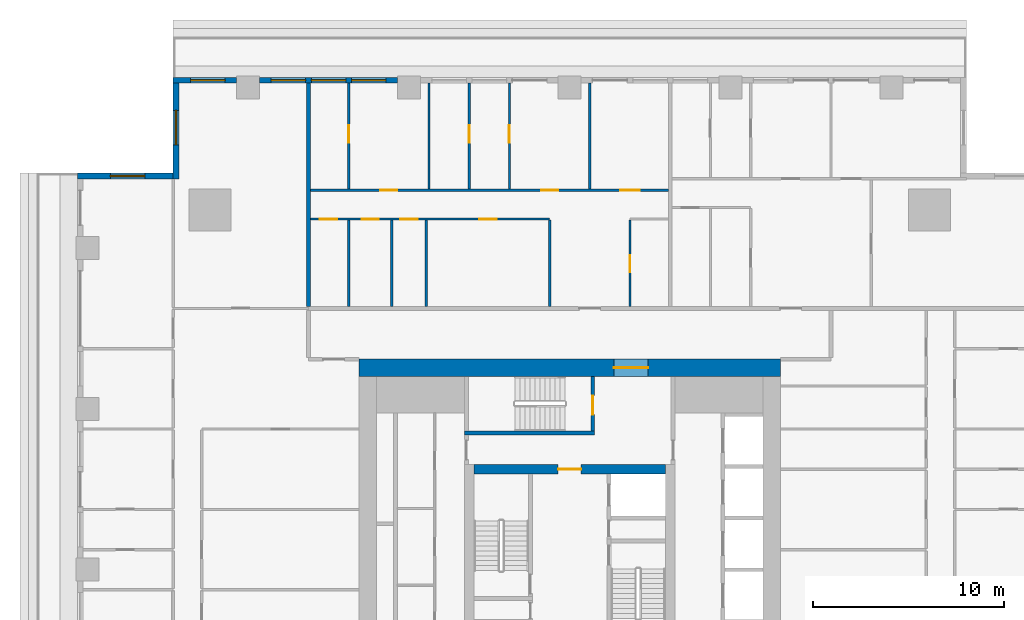
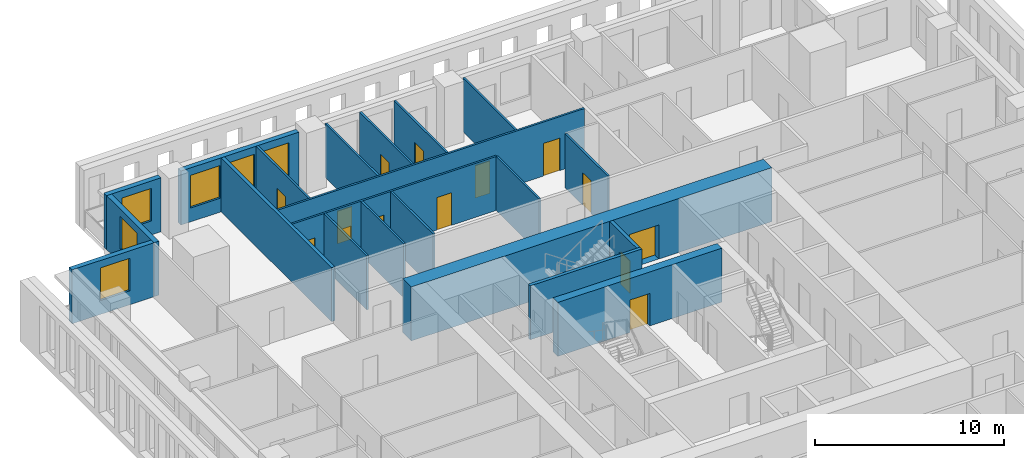
# One storey, part 7 of 15: 21 walls, 14 doors, 6 windows, 20 openings.
"""IFC4 building model written with IfcOpenShell, lengths in metres."""

from ifc_helpers import new_model, si_unit, direction, frame, frame_2d, origin, place, context, subcontext, project, spatial, rectangle, extrude, material, layer, layer_set, type_object, element, fill, save


model = new_model("IFC4")

# Units and contexts
model_context = context("Model", 3, precision=1e-05, world=origin(), true_north=direction((0.0, 1.0)))
body_context = subcontext(model_context, "Body", "Model", "MODEL_VIEW")
ifc_project = project(units=[si_unit("LENGTHUNIT", "METRE"), si_unit("AREAUNIT", "SQUARE_METRE"), si_unit("VOLUMEUNIT", "CUBIC_METRE"), si_unit("PLANEANGLEUNIT", "RADIAN"), si_unit("MASSUNIT", "GRAM", prefix="KILO")], contexts=[model_context])

# Site, building, storey
site_placement = place(None, origin())
site = spatial("IfcSite", under=ifc_project, at=site_placement, CompositionType="ELEMENT")
building_placement = place(site_placement, origin())
building = spatial("IfcBuilding", under=site, at=building_placement, Name="Khepri Terraces", CompositionType="ELEMENT")
storey_placement = place(building_placement, frame((0.0, 0.0, 256.199951171875)))
storey = spatial("IfcBuildingStorey", under=building, at=storey_placement, Name="L61", CompositionType="ELEMENT", Elevation=256.199951171875)

# Wall
ifc_material_1 = material(Name="Concrete C40/50", Category="concrete")
ifc_layer_1 = layer(ifc_material_1, 0.199951171875, Name="Concrete C40/50", Category="concrete")
ifc_layer_set_1 = layer_set([ifc_layer_1], Name="Concrete C40/50")
wall_type_1 = type_object("IfcWallType", Name="Core wall 200 C40/50", PredefinedType="SHEAR", material=ifc_layer_set_1)
wall_1_placement = place(storey_placement, frame((-5.5, 7.14990234375, 0.0), z_axis=(0.0, 0.0, 1.0), x_axis=(1.0, 0.0, 0.0)))
element("IfcWall", 1, at=wall_1_placement, inside=storey, type_object=wall_type_1, Name="Core wall ST05 L61", PredefinedType="SHEAR", context=body_context, shape_type="SweptSolid", body=[
    extrude(rectangle(XDim=6.800048828125, YDim=0.199951171875, at=frame_2d((3.39990234375, 0.0))), origin(), (0.0, 0.0, 1.0), 3.47998046875),
])

# Wall, opening, door
wall_2_placement = place(storey_placement, frame((1.199951171875, 7.25, 0.0), z_axis=(0.0, 0.0, 1.0), x_axis=(0.0, 1.0, 0.0)))
wall_2 = element("IfcWall", 2, at=wall_2_placement, inside=storey, type_object=wall_type_1, Name="Core wall ST07 L61", PredefinedType="SHEAR", context=body_context, shape_type="SweptSolid", body=[
    extrude(rectangle(XDim=2.85009765625, YDim=0.199951171875, at=frame_2d((1.425048828125, 0.0))), origin(), (0.0, 0.0, 1.0), 3.47998046875),
])
opening_1_placement = place(wall_2_placement, frame((0.85009765625, 0.0, 0.0)))
opening_1 = element("IfcOpeningElement", 3, at=opening_1_placement, cuts=wall_2, Name="Opening L61-C15", PredefinedType="OPENING", context=body_context, shape_type="SweptSolid", body=[
    extrude(rectangle(XDim=1.0, YDim=2.10009765625, at=frame_2d((0.5, 1.050048828125))), frame((0.0, 0.10986328125, 0.0), z_axis=(0.0, -1.0, 0.0), x_axis=(1.0, 0.0, 0.0)), (0.0, 0.0, 1.0), 0.219970703125),
])
ifc_material_2 = material(Name="Painted steel", Category="steel")
door_type_1 = type_object("IfcDoorType", Name="DR-CORE-STAIR-1000", OperationType="NOTDEFINED", PredefinedType="DOOR", material=ifc_material_2)
door_1_placement = place(opening_1_placement, origin())
door_1 = element("IfcDoor", 4, at=door_1_placement, inside=storey, type_object=door_type_1, Name="Stair door L61-C15", OperationType="SINGLE_SWING_LEFT", OverallHeight=2.10009765625, OverallWidth=1.0, PredefinedType="DOOR", context=body_context, shape_type="SweptSolid", body=[
    extrude(rectangle(XDim=1.0, YDim=2.10009765625, at=frame_2d((0.5, 1.050048828125))), frame((0.0, 0.02490234375, 0.0), z_axis=(0.0, -1.0, 0.0), x_axis=(1.0, 0.0, 0.0)), (0.0, 0.0, 1.0), 0.050048828125),
])
fill(opening_1, door_1)

ifc_layer_2 = layer(ifc_material_1, 0.5, Name="Concrete C40/50", Category="concrete")
ifc_layer_set_2 = layer_set([ifc_layer_2], Name="Concrete C40/50")
wall_type_2 = type_object("IfcWallType", Name="Core wall 500 C40/50", PredefinedType="SHEAR", material=ifc_layer_set_2)
wall_3_placement = place(storey_placement, frame((-5.0, 5.25, 0.0), z_axis=(0.0, 0.0, 1.0), x_axis=(1.0, 0.0, 0.0)))
wall_3 = element("IfcWall", 5, at=wall_3_placement, inside=storey, type_object=wall_type_2, Name="Core wall BX04 L61", PredefinedType="SHEAR", context=body_context, shape_type="SweptSolid", body=[
    extrude(rectangle(XDim=10.0, YDim=0.5, at=frame_2d((5.0, 0.0))), origin(), (0.0, 0.0, 1.0), 3.47998046875),
])
opening_2_placement = place(wall_3_placement, frame((4.39990234375, 0.0, 0.0)))
opening_2 = element("IfcOpeningElement", 6, at=opening_2_placement, cuts=wall_3, Name="Opening L61-C13", PredefinedType="OPENING", context=body_context, shape_type="SweptSolid", body=[
    extrude(rectangle(XDim=1.199951171875, YDim=2.10009765625, at=frame_2d((0.60009765625, 1.050048828125))), frame((0.0, 0.260009765625, 0.0), z_axis=(0.0, -1.0, 0.0), x_axis=(1.0, 0.0, 0.0)), (0.0, 0.0, 1.0), 0.52001953125),
])
door_type_2 = type_object("IfcDoorType", Name="DR-CORE-FF-LOBBY-1200", OperationType="NOTDEFINED", PredefinedType="DOOR", material=ifc_material_2)
door_2_placement = place(opening_2_placement, frame((1.199951171875, 0.0, 0.0), z_axis=(0.0, 0.0, 1.0), x_axis=(-1.0, 0.0, 0.0)))
door_2 = element("IfcDoor", 7, at=door_2_placement, inside=storey, type_object=door_type_2, Name="Firefighting lobby door L61-C13", OperationType="SINGLE_SWING_LEFT", OverallHeight=2.10009765625, OverallWidth=1.199951171875, PredefinedType="DOOR", context=body_context, shape_type="SweptSolid", body=[
    extrude(rectangle(XDim=1.199951171875, YDim=2.10009765625, at=frame_2d((0.60009765625, 1.050048828125))), frame((0.0, 0.02490234375, 0.0), z_axis=(0.0, -1.0, 0.0), x_axis=(1.0, 0.0, 0.0)), (0.0, 0.0, 1.0), 0.050048828125),
])
fill(opening_2, door_2)

ifc_layer_3 = layer(ifc_material_1, 0.89990234375, Name="Concrete C40/50", Category="concrete")
ifc_layer_set_3 = layer_set([ifc_layer_3], Name="Concrete C40/50")
wall_type_3 = type_object("IfcWallType", Name="Core wall 900 C40/50", PredefinedType="SHEAR", material=ifc_layer_set_3)
wall_4_placement = place(storey_placement, frame((-11.0, 10.550048828125, 0.0), z_axis=(0.0, 0.0, 1.0), x_axis=(1.0, 0.0, 0.0)))
wall_4 = element("IfcWall", 8, at=wall_4_placement, inside=storey, type_object=wall_type_3, Name="Core wall OW-N L61", PredefinedType="SHEAR", context=body_context, shape_type="SweptSolid", body=[
    extrude(rectangle(XDim=22.0, YDim=0.89990234375, at=frame_2d((11.0, 0.0))), origin(), (0.0, 0.0, 1.0), 3.47998046875),
])
opening_3_placement = place(wall_4_placement, frame((13.300048828125, 0.0, 0.0)))
opening_3 = element("IfcOpeningElement", 9, at=opening_3_placement, cuts=wall_4, Name="Opening L61-C20", PredefinedType="OPENING", context=body_context, shape_type="SweptSolid", body=[
    extrude(rectangle(XDim=1.800048828125, YDim=2.199951171875, at=frame_2d((0.89990234375, 1.10009765625))), frame((0.0, 0.4599609375, 0.0), z_axis=(0.0, -1.0, 0.0), x_axis=(1.0, 0.0, 0.0)), (0.0, 0.0, 1.0), 0.919921875),
])
door_type_3 = type_object("IfcDoorType", Name="DR-CORE-ENTRANCE-1800", OperationType="NOTDEFINED", PredefinedType="DOOR", material=ifc_material_2)
door_3_placement = place(opening_3_placement, origin())
door_3 = element("IfcDoor", 10, at=door_3_placement, inside=storey, type_object=door_type_3, Name="Core entrance door pair L61-C20", OperationType="DOUBLE_DOOR_SINGLE_SWING", OverallHeight=2.199951171875, OverallWidth=1.800048828125, PredefinedType="DOOR", context=body_context, shape_type="SweptSolid", body=[
    extrude(rectangle(XDim=1.800048828125, YDim=2.199951171875, at=frame_2d((0.89990234375, 1.10009765625))), frame((0.0, 0.02490234375, 0.0), z_axis=(0.0, -1.0, 0.0), x_axis=(1.0, 0.0, 0.0)), (0.0, 0.0, 1.0), 0.050048828125),
])
fill(opening_3, door_3)

# Wall
ifc_material_3 = material(Name="Fire-rated gypsum plasterboard partition, mineral wool")
ifc_layer_4 = layer(ifc_material_3, 0.199951171875, Name="Fire-rated gypsum plasterboard partition, mineral wool")
ifc_layer_set_4 = layer_set([ifc_layer_4], Name="Fire-rated gypsum plasterboard partition, mineral wool")
wall_type_4 = type_object("IfcWallType", Name="WL-CORR-200", PredefinedType="PARTITIONING", material=ifc_layer_set_4)
wall_5_placement = place(storey_placement, frame((-13.64990234375, 13.75, 0.0), z_axis=(0.0, 0.0, 1.0), x_axis=(0.0, 1.0, 0.0)))
element("IfcWall", 11, at=wall_5_placement, inside=storey, type_object=wall_type_4, Name="Partition P-082 L61", PredefinedType="PARTITIONING", context=body_context, shape_type="SweptSolid", body=[
    extrude(rectangle(XDim=11.669921875, YDim=0.199951171875, at=frame_2d((5.8349609375, 0.0))), origin(), (0.0, 0.0, 1.0), 3.47998046875),
])

# Wall, openings, windows
ifc_material_4 = material(Name="Precast concrete C50/60 warm stone", Category="masonry")
ifc_layer_5 = layer(ifc_material_4, 0.300048828125, Name="Precast concrete C50/60 warm stone", Category="masonry")
ifc_layer_set_5 = layer_set([ifc_layer_5], Name="Precast concrete C50/60 warm stone")
wall_type_5 = type_object("IfcWallType", Name="WL-EXT-PRECAST-300", PredefinedType="STANDARD", material=ifc_layer_set_5)
wall_6_placement = place(storey_placement, frame((-9.0, 25.570068359375, 0.0), z_axis=(0.0, 0.0, 1.0), x_axis=(-1.0, 0.0, 0.0)))
wall_6 = element("IfcWall", 12, at=wall_6_placement, inside=storey, type_object=wall_type_5, Name="External wall L61 N", PredefinedType="STANDARD", context=body_context, shape_type="SweptSolid", body=[
    extrude(rectangle(XDim=7.199951171875, YDim=0.300048828125, at=frame_2d((3.60009765625, 0.0))), origin(), (0.0, 0.0, 1.0), 3.47998046875),
])
opening_4_placement = place(wall_6_placement, frame((0.60009765625, 0.0, 0.89990234375)))
opening_4 = element("IfcOpeningElement", 13, at=opening_4_placement, cuts=wall_6, Name="Opening W1", PredefinedType="OPENING", context=body_context, shape_type="SweptSolid", body=[
    extrude(rectangle(XDim=1.800048828125, YDim=2.10009765625, at=frame_2d((0.89990234375, 1.050048828125))), frame((0.0, 0.16015625, 0.0), z_axis=(0.0, -1.0, 0.0), x_axis=(1.0, 0.0, 0.0)), (0.0, 0.0, 1.0), 0.320068359375),
])
opening_5_placement = place(wall_6_placement, frame((2.699951171875, 0.0, 0.89990234375)))
opening_5 = element("IfcOpeningElement", 14, at=opening_5_placement, cuts=wall_6, Name="Opening W1", PredefinedType="OPENING", context=body_context, shape_type="SweptSolid", body=[
    extrude(rectangle(XDim=1.800048828125, YDim=2.10009765625, at=frame_2d((0.89990234375, 1.050048828125))), frame((0.0, 0.16015625, 0.0), z_axis=(0.0, -1.0, 0.0), x_axis=(1.0, 0.0, 0.0)), (0.0, 0.0, 1.0), 0.320068359375),
])
opening_6_placement = place(wall_6_placement, frame((4.800048828125, 0.0, 0.89990234375)))
opening_6 = element("IfcOpeningElement", 15, at=opening_6_placement, cuts=wall_6, Name="Opening W1", PredefinedType="OPENING", context=body_context, shape_type="SweptSolid", body=[
    extrude(rectangle(XDim=1.800048828125, YDim=2.10009765625, at=frame_2d((0.89990234375, 1.050048828125))), frame((0.0, 0.16015625, 0.0), z_axis=(0.0, -1.0, 0.0), x_axis=(1.0, 0.0, 0.0)), (0.0, 0.0, 1.0), 0.320068359375),
])
ifc_material_5 = material(Name="Clear glass", Category="glass")
window_type = type_object("IfcWindowType", Name="WIN-RES-1800x2100", PartitioningType="SINGLE_PANEL", PredefinedType="WINDOW", material=ifc_material_5)
window_1_placement = place(opening_4_placement, origin())
window_1 = element("IfcWindow", 16, at=window_1_placement, inside=storey, type_object=window_type, Name="Window L61 N", OverallHeight=2.10009765625, OverallWidth=1.800048828125, PartitioningType="SINGLE_PANEL", PredefinedType="WINDOW", context=body_context, shape_type="SweptSolid", body=[
    extrude(rectangle(XDim=1.800048828125, YDim=2.10009765625, at=frame_2d((0.89990234375, 1.050048828125))), frame((0.0, 0.030029296875, 0.0), z_axis=(0.0, -1.0, 0.0), x_axis=(1.0, 0.0, 0.0)), (0.0, 0.0, 1.0), 0.06005859375),
])
fill(opening_4, window_1)
window_2_placement = place(opening_5_placement, origin())
window_2 = element("IfcWindow", 17, at=window_2_placement, inside=storey, type_object=window_type, Name="Window L61 N", OverallHeight=2.10009765625, OverallWidth=1.800048828125, PartitioningType="SINGLE_PANEL", PredefinedType="WINDOW", context=body_context, shape_type="SweptSolid", body=[
    extrude(rectangle(XDim=1.800048828125, YDim=2.10009765625, at=frame_2d((0.89990234375, 1.050048828125))), frame((0.0, 0.030029296875, 0.0), z_axis=(0.0, -1.0, 0.0), x_axis=(1.0, 0.0, 0.0)), (0.0, 0.0, 1.0), 0.06005859375),
])
fill(opening_5, window_2)
window_3_placement = place(opening_6_placement, origin())
window_3 = element("IfcWindow", 18, at=window_3_placement, inside=storey, type_object=window_type, Name="Window L61 N", OverallHeight=2.10009765625, OverallWidth=1.800048828125, PartitioningType="SINGLE_PANEL", PredefinedType="WINDOW", context=body_context, shape_type="SweptSolid", body=[
    extrude(rectangle(XDim=1.800048828125, YDim=2.10009765625, at=frame_2d((0.89990234375, 1.050048828125))), frame((0.0, 0.030029296875, 0.0), z_axis=(0.0, -1.0, 0.0), x_axis=(1.0, 0.0, 0.0)), (0.0, 0.0, 1.0), 0.06005859375),
])
fill(opening_6, window_3)

# Wall, opening, window
wall_7_placement = place(storey_placement, frame((-17.39990234375, 25.570068359375, 0.0), z_axis=(0.0, 0.0, 1.0), x_axis=(-1.0, 0.0, 0.0)))
wall_7 = element("IfcWall", 19, at=wall_7_placement, inside=storey, type_object=wall_type_5, Name="External wall L61 N", PredefinedType="STANDARD", context=body_context, shape_type="SweptSolid", body=[
    extrude(rectangle(XDim=3.320068359375, YDim=0.300048828125, at=frame_2d((1.66015625, 0.0))), origin(), (0.0, 0.0, 1.0), 3.47998046875),
])
opening_7_placement = place(wall_7_placement, frame((0.60009765625, 0.0, 0.89990234375)))
opening_7 = element("IfcOpeningElement", 20, at=opening_7_placement, cuts=wall_7, Name="Opening W1", PredefinedType="OPENING", context=body_context, shape_type="SweptSolid", body=[
    extrude(rectangle(XDim=1.800048828125, YDim=2.10009765625, at=frame_2d((0.89990234375, 1.050048828125))), frame((0.0, 0.16015625, 0.0), z_axis=(0.0, -1.0, 0.0), x_axis=(1.0, 0.0, 0.0)), (0.0, 0.0, 1.0), 0.320068359375),
])
window_4_placement = place(opening_7_placement, origin())
window_4 = element("IfcWindow", 21, at=window_4_placement, inside=storey, type_object=window_type, Name="Window L61 N", OverallHeight=2.10009765625, OverallWidth=1.800048828125, PartitioningType="SINGLE_PANEL", PredefinedType="WINDOW", context=body_context, shape_type="SweptSolid", body=[
    extrude(rectangle(XDim=1.800048828125, YDim=2.10009765625, at=frame_2d((0.89990234375, 1.050048828125))), frame((0.0, 0.030029296875, 0.0), z_axis=(0.0, -1.0, 0.0), x_axis=(1.0, 0.0, 0.0)), (0.0, 0.0, 1.0), 0.06005859375),
])
fill(opening_7, window_4)

wall_8_placement = place(storey_placement, frame((-20.570068359375, 25.419921875, 0.0), z_axis=(0.0, 0.0, 1.0), x_axis=(0.0, -1.0, 0.0)))
wall_8 = element("IfcWall", 22, at=wall_8_placement, inside=storey, type_object=wall_type_5, Name="External wall L61 W", PredefinedType="STANDARD", context=body_context, shape_type="SweptSolid", body=[
    extrude(rectangle(XDim=5.0, YDim=0.300048828125, at=frame_2d((2.5, 0.0))), origin(), (0.0, 0.0, 1.0), 3.47998046875),
])
opening_8_placement = place(wall_8_placement, frame((1.419921875, 0.0, 0.89990234375)))
opening_8 = element("IfcOpeningElement", 23, at=opening_8_placement, cuts=wall_8, Name="Opening W1", PredefinedType="OPENING", context=body_context, shape_type="SweptSolid", body=[
    extrude(rectangle(XDim=1.800048828125, YDim=2.10009765625, at=frame_2d((0.89990234375, 1.050048828125))), frame((0.0, 0.16015625, 0.0), z_axis=(0.0, -1.0, 0.0), x_axis=(1.0, 0.0, 0.0)), (0.0, 0.0, 1.0), 0.320068359375),
])
window_5_placement = place(opening_8_placement, origin())
window_5 = element("IfcWindow", 24, at=window_5_placement, inside=storey, type_object=window_type, Name="Window L61 W", OverallHeight=2.10009765625, OverallWidth=1.800048828125, PartitioningType="SINGLE_PANEL", PredefinedType="WINDOW", context=body_context, shape_type="SweptSolid", body=[
    extrude(rectangle(XDim=1.800048828125, YDim=2.10009765625, at=frame_2d((0.89990234375, 1.050048828125))), frame((0.0, 0.030029296875, 0.0), z_axis=(0.0, -1.0, 0.0), x_axis=(1.0, 0.0, 0.0)), (0.0, 0.0, 1.0), 0.06005859375),
])
fill(opening_8, window_5)

wall_9_placement = place(storey_placement, frame((-20.719970703125, 20.570068359375, 0.0), z_axis=(0.0, 0.0, 1.0), x_axis=(-1.0, 0.0, 0.0)))
wall_9 = element("IfcWall", 25, at=wall_9_placement, inside=storey, type_object=wall_type_5, Name="External wall L61 N", PredefinedType="STANDARD", context=body_context, shape_type="SweptSolid", body=[
    extrude(rectangle(XDim=5.0, YDim=0.300048828125, at=frame_2d((2.5, 0.0))), origin(), (0.0, 0.0, 1.0), 3.47998046875),
])
opening_9_placement = place(wall_9_placement, frame((1.47998046875, 0.0, 0.89990234375)))
opening_9 = element("IfcOpeningElement", 26, at=opening_9_placement, cuts=wall_9, Name="Opening W1", PredefinedType="OPENING", context=body_context, shape_type="SweptSolid", body=[
    extrude(rectangle(XDim=1.800048828125, YDim=2.10009765625, at=frame_2d((0.89990234375, 1.050048828125))), frame((0.0, 0.16015625, 0.0), z_axis=(0.0, -1.0, 0.0), x_axis=(1.0, 0.0, 0.0)), (0.0, 0.0, 1.0), 0.320068359375),
])
window_6_placement = place(opening_9_placement, origin())
window_6 = element("IfcWindow", 27, at=window_6_placement, inside=storey, type_object=window_type, Name="Window L61 N", OverallHeight=2.10009765625, OverallWidth=1.800048828125, PartitioningType="SINGLE_PANEL", PredefinedType="WINDOW", context=body_context, shape_type="SweptSolid", body=[
    extrude(rectangle(XDim=1.800048828125, YDim=2.10009765625, at=frame_2d((0.89990234375, 1.050048828125))), frame((0.0, 0.030029296875, 0.0), z_axis=(0.0, -1.0, 0.0), x_axis=(1.0, 0.0, 0.0)), (0.0, 0.0, 1.0), 0.06005859375),
])
fill(opening_9, window_6)

# Walls
ifc_material_6 = material(Name="Gypsum plasterboard partition")
ifc_layer_6 = layer(ifc_material_6, 0.1201171875, Name="Gypsum plasterboard partition")
ifc_layer_set_6 = layer_set([ifc_layer_6], Name="Gypsum plasterboard partition")
wall_type_6 = type_object("IfcWallType", Name="WL-PART-120", PredefinedType="PARTITIONING", material=ifc_layer_set_6)
for number, where, z_axis, x_axis, name in (
    (28, (-11.550048828125, 13.75, 0.0), (0.0, 0.0, 1.0), (0.0, 1.0, 0.0), "Partition P-083 L61"),
    (29, (-9.300048828125, 13.75, 0.0), (0.0, 0.0, 1.0), (0.0, 1.0, 0.0), "Partition P-084 L61"),
    (30, (-7.5, 13.75, 0.0), (0.0, 0.0, 1.0), (0.0, 1.0, 0.0), "Partition P-085 L61"),
    (31, (-1.050048828125, 13.75, 0.0), (0.0, 0.0, 1.0), (0.0, 1.0, 0.0), "Partition P-086 L61"),
):
    element("IfcWall", number, at=place(storey_placement, frame(where, z_axis=z_axis, x_axis=x_axis)), inside=storey, type_object=wall_type_6, Name=name, PredefinedType="PARTITIONING", context=body_context, shape_type="SweptSolid", body=[
        extrude(rectangle(XDim=4.510009765625, YDim=0.1201171875, at=frame_2d((2.2548828125, 0.0))), origin(), (0.0, 0.0, 1.0), 3.47998046875),
    ])

# Wall, opening, door
wall_10_placement = place(storey_placement, frame((3.14990234375, 13.75, 0.0), z_axis=(0.0, 0.0, 1.0), x_axis=(0.0, 1.0, 0.0)))
wall_10 = element("IfcWall", 32, at=wall_10_placement, inside=storey, type_object=wall_type_6, Name="Partition P-087 L61", PredefinedType="PARTITIONING", context=body_context, shape_type="SweptSolid", body=[
    extrude(rectangle(XDim=4.510009765625, YDim=0.1201171875, at=frame_2d((2.2548828125, 0.0))), origin(), (0.0, 0.0, 1.0), 3.47998046875),
])
opening_10_placement = place(wall_10_placement, frame((1.784912109375, 0.0, 0.0)))
opening_10 = element("IfcOpeningElement", 33, at=opening_10_placement, cuts=wall_10, Name="Opening D3", PredefinedType="OPENING", context=body_context, shape_type="SweptSolid", body=[
    extrude(rectangle(XDim=0.89990234375, YDim=2.10009765625, at=frame_2d((0.449951171875, 1.050048828125))), frame((0.0, 0.070068359375, 0.0), z_axis=(0.0, -1.0, 0.0), x_axis=(1.0, 0.0, 0.0)), (0.0, 0.0, 1.0), 0.14013671875),
])
ifc_material_7 = material(Name="Timber door leaf", Category="wood")
door_type_4 = type_object("IfcDoorType", Name="DR-INT-900", OperationType="NOTDEFINED", PredefinedType="DOOR", material=ifc_material_7)
door_4_placement = place(opening_10_placement, frame((0.89990234375, 0.0, 0.0), z_axis=(0.0, 0.0, 1.0), x_axis=(-1.0, 0.0, 0.0)))
door_4 = element("IfcDoor", 34, at=door_4_placement, inside=storey, type_object=door_type_4, Name="Door Utility Room", OperationType="SINGLE_SWING_RIGHT", OverallHeight=2.10009765625, OverallWidth=0.89990234375, PredefinedType="DOOR", context=body_context, shape_type="SweptSolid", body=[
    extrude(rectangle(XDim=0.89990234375, YDim=2.10009765625, at=frame_2d((0.449951171875, 1.050048828125))), frame((0.0, 0.02490234375, 0.0), z_axis=(0.0, -1.0, 0.0), x_axis=(1.0, 0.0, 0.0)), (0.0, 0.0, 1.0), 0.050048828125),
])
fill(opening_10, door_4)

# Wall, openings, doors
wall_11_placement = place(storey_placement, frame((-13.550048828125, 18.320068359375, 0.0), z_axis=(0.0, 0.0, 1.0), x_axis=(1.0, 0.0, 0.0)))
wall_11 = element("IfcWall", 35, at=wall_11_placement, inside=storey, type_object=wall_type_6, Name="Partition P-092 L61", PredefinedType="PARTITIONING", context=body_context, shape_type="SweptSolid", body=[
    extrude(rectangle(XDim=12.5, YDim=0.1201171875, at=frame_2d((6.25, 0.0))), origin(), (0.0, 0.0, 1.0), 3.47998046875),
])
opening_11_placement = place(wall_11_placement, frame((8.824951171875, 0.0, 0.0)))
opening_11 = element("IfcOpeningElement", 36, at=opening_11_placement, cuts=wall_11, Name="Opening D3", PredefinedType="OPENING", context=body_context, shape_type="SweptSolid", body=[
    extrude(rectangle(XDim=0.89990234375, YDim=2.10009765625, at=frame_2d((0.449951171875, 1.050048828125))), frame((0.0, 0.070068359375, 0.0), z_axis=(0.0, -1.0, 0.0), x_axis=(1.0, 0.0, 0.0)), (0.0, 0.0, 1.0), 0.14013671875),
])
opening_12_placement = place(wall_11_placement, frame((4.699951171875, 0.0, 0.0)))
opening_12 = element("IfcOpeningElement", 37, at=opening_12_placement, cuts=wall_11, Name="Opening D3", PredefinedType="OPENING", context=body_context, shape_type="SweptSolid", body=[
    extrude(rectangle(XDim=0.89990234375, YDim=2.10009765625, at=frame_2d((0.449951171875, 1.050048828125))), frame((0.0, 0.070068359375, 0.0), z_axis=(0.0, -1.0, 0.0), x_axis=(1.0, 0.0, 0.0)), (0.0, 0.0, 1.0), 0.14013671875),
])
opening_13_placement = place(wall_11_placement, frame((2.675048828125, 0.0, 0.0)))
opening_13 = element("IfcOpeningElement", 38, at=opening_13_placement, cuts=wall_11, Name="Opening D4", PredefinedType="OPENING", context=body_context, shape_type="SweptSolid", body=[
    extrude(rectangle(XDim=0.89990234375, YDim=2.10009765625, at=frame_2d((0.449951171875, 1.050048828125))), frame((0.0, 0.070068359375, 0.0), z_axis=(0.0, -1.0, 0.0), x_axis=(1.0, 0.0, 0.0)), (0.0, 0.0, 1.0), 0.14013671875),
])
opening_14_placement = place(wall_11_placement, frame((0.5, 0.0, 0.0)))
opening_14 = element("IfcOpeningElement", 39, at=opening_14_placement, cuts=wall_11, Name="Opening D4", PredefinedType="OPENING", context=body_context, shape_type="SweptSolid", body=[
    extrude(rectangle(XDim=0.89990234375, YDim=2.10009765625, at=frame_2d((0.449951171875, 1.050048828125))), frame((0.0, 0.070068359375, 0.0), z_axis=(0.0, -1.0, 0.0), x_axis=(1.0, 0.0, 0.0)), (0.0, 0.0, 1.0), 0.14013671875),
])
door_5_placement = place(opening_11_placement, frame((0.89990234375, 0.0, 0.0), z_axis=(0.0, 0.0, 1.0), x_axis=(-1.0, 0.0, 0.0)))
door_5 = element("IfcDoor", 40, at=door_5_placement, inside=storey, type_object=door_type_4, Name="Door Kitchen", OperationType="SINGLE_SWING_LEFT", OverallHeight=2.10009765625, OverallWidth=0.89990234375, PredefinedType="DOOR", context=body_context, shape_type="SweptSolid", body=[
    extrude(rectangle(XDim=0.89990234375, YDim=2.10009765625, at=frame_2d((0.449951171875, 1.050048828125))), frame((0.0, 0.02490234375, 0.0), z_axis=(0.0, -1.0, 0.0), x_axis=(1.0, 0.0, 0.0)), (0.0, 0.0, 1.0), 0.050048828125),
])
fill(opening_11, door_5)
door_6_placement = place(opening_12_placement, frame((0.89990234375, 0.0, 0.0), z_axis=(0.0, 0.0, 1.0), x_axis=(-1.0, 0.0, 0.0)))
door_6 = element("IfcDoor", 41, at=door_6_placement, inside=storey, type_object=door_type_4, Name="Door Service Store", OperationType="SINGLE_SWING_RIGHT", OverallHeight=2.10009765625, OverallWidth=0.89990234375, PredefinedType="DOOR", context=body_context, shape_type="SweptSolid", body=[
    extrude(rectangle(XDim=0.89990234375, YDim=2.10009765625, at=frame_2d((0.449951171875, 1.050048828125))), frame((0.0, 0.02490234375, 0.0), z_axis=(0.0, -1.0, 0.0), x_axis=(1.0, 0.0, 0.0)), (0.0, 0.0, 1.0), 0.050048828125),
])
fill(opening_12, door_6)
ifc_material_8 = material(Name="Timber door leaf, moisture resistant", Category="wood")
door_type_5 = type_object("IfcDoorType", Name="DR-WET-900", OperationType="NOTDEFINED", PredefinedType="DOOR", material=ifc_material_8)
door_7_placement = place(opening_13_placement, frame((0.89990234375, 0.0, 0.0), z_axis=(0.0, 0.0, 1.0), x_axis=(-1.0, 0.0, 0.0)))
door_7 = element("IfcDoor", 42, at=door_7_placement, inside=storey, type_object=door_type_5, Name="Door Powder Room", OperationType="SINGLE_SWING_RIGHT", OverallHeight=2.10009765625, OverallWidth=0.89990234375, PredefinedType="DOOR", context=body_context, shape_type="SweptSolid", body=[
    extrude(rectangle(XDim=0.89990234375, YDim=2.10009765625, at=frame_2d((0.449951171875, 1.050048828125))), frame((0.0, 0.02490234375, 0.0), z_axis=(0.0, -1.0, 0.0), x_axis=(1.0, 0.0, 0.0)), (0.0, 0.0, 1.0), 0.050048828125),
])
fill(opening_13, door_7)
door_8_placement = place(opening_14_placement, frame((0.89990234375, 0.0, 0.0), z_axis=(0.0, 0.0, 1.0), x_axis=(-1.0, 0.0, 0.0)))
door_8 = element("IfcDoor", 43, at=door_8_placement, inside=storey, type_object=door_type_5, Name="Door Guest Bathroom", OperationType="SINGLE_SWING_RIGHT", OverallHeight=2.10009765625, OverallWidth=0.89990234375, PredefinedType="DOOR", context=body_context, shape_type="SweptSolid", body=[
    extrude(rectangle(XDim=0.89990234375, YDim=2.10009765625, at=frame_2d((0.449951171875, 1.050048828125))), frame((0.0, 0.02490234375, 0.0), z_axis=(0.0, -1.0, 0.0), x_axis=(1.0, 0.0, 0.0)), (0.0, 0.0, 1.0), 0.050048828125),
])
fill(opening_14, door_8)

wall_12_placement = place(storey_placement, frame((-13.550048828125, 19.820068359375, 0.0), z_axis=(0.0, 0.0, 1.0), x_axis=(1.0, 0.0, 0.0)))
wall_12 = element("IfcWall", 44, at=wall_12_placement, inside=storey, type_object=wall_type_6, Name="Partition P-095 L61", PredefinedType="PARTITIONING", context=body_context, shape_type="SweptSolid", body=[
    extrude(rectangle(XDim=18.699951171875, YDim=0.1201171875, at=frame_2d((9.35009765625, 0.0))), origin(), (0.0, 0.0, 1.0), 3.47998046875),
])
opening_15_placement = place(wall_12_placement, frame((16.199951171875, 0.0, 0.0)))
opening_15 = element("IfcOpeningElement", 45, at=opening_15_placement, cuts=wall_12, Name="Opening D2", PredefinedType="OPENING", context=body_context, shape_type="SweptSolid", body=[
    extrude(rectangle(XDim=1.0, YDim=2.10009765625, at=frame_2d((0.5, 1.050048828125))), frame((0.0, 0.070068359375, 0.0), z_axis=(0.0, -1.0, 0.0), x_axis=(1.0, 0.0, 0.0)), (0.0, 0.0, 1.0), 0.14013671875),
])
opening_16_placement = place(wall_12_placement, frame((12.050048828125, 0.0, 0.0)))
opening_16 = element("IfcOpeningElement", 46, at=opening_16_placement, cuts=wall_12, Name="Opening D3", PredefinedType="OPENING", context=body_context, shape_type="SweptSolid", body=[
    extrude(rectangle(XDim=0.89990234375, YDim=2.10009765625, at=frame_2d((0.449951171875, 1.050048828125))), frame((0.0, 0.070068359375, 0.0), z_axis=(0.0, -1.0, 0.0), x_axis=(1.0, 0.0, 0.0)), (0.0, 0.0, 1.0), 0.14013671875),
])
opening_17_placement = place(wall_12_placement, frame((3.64990234375, 0.0, 0.0)))
opening_17 = element("IfcOpeningElement", 47, at=opening_17_placement, cuts=wall_12, Name="Opening D3", PredefinedType="OPENING", context=body_context, shape_type="SweptSolid", body=[
    extrude(rectangle(XDim=0.89990234375, YDim=2.10009765625, at=frame_2d((0.449951171875, 1.050048828125))), frame((0.0, 0.070068359375, 0.0), z_axis=(0.0, -1.0, 0.0), x_axis=(1.0, 0.0, 0.0)), (0.0, 0.0, 1.0), 0.14013671875),
])
ifc_material_9 = material(Name="Timber door leaf, living room door", Category="wood")
door_type_6 = type_object("IfcDoorType", Name="DR-INT-1000", OperationType="NOTDEFINED", PredefinedType="DOOR", material=ifc_material_9)
door_9_placement = place(opening_15_placement, origin())
door_9 = element("IfcDoor", 48, at=door_9_placement, inside=storey, type_object=door_type_6, Name="Door Living Room", OperationType="SINGLE_SWING_RIGHT", OverallHeight=2.10009765625, OverallWidth=1.0, PredefinedType="DOOR", context=body_context, shape_type="SweptSolid", body=[
    extrude(rectangle(XDim=1.0, YDim=2.10009765625, at=frame_2d((0.5, 1.050048828125))), frame((0.0, 0.02490234375, 0.0), z_axis=(0.0, -1.0, 0.0), x_axis=(1.0, 0.0, 0.0)), (0.0, 0.0, 1.0), 0.050048828125),
])
fill(opening_15, door_9)
door_10_placement = place(opening_16_placement, origin())
door_10 = element("IfcDoor", 49, at=door_10_placement, inside=storey, type_object=door_type_4, Name="Door Master Bedroom", OperationType="SINGLE_SWING_RIGHT", OverallHeight=2.10009765625, OverallWidth=0.89990234375, PredefinedType="DOOR", context=body_context, shape_type="SweptSolid", body=[
    extrude(rectangle(XDim=0.89990234375, YDim=2.10009765625, at=frame_2d((0.449951171875, 1.050048828125))), frame((0.0, 0.02490234375, 0.0), z_axis=(0.0, -1.0, 0.0), x_axis=(1.0, 0.0, 0.0)), (0.0, 0.0, 1.0), 0.050048828125),
])
fill(opening_16, door_10)
door_11_placement = place(opening_17_placement, origin())
door_11 = element("IfcDoor", 50, at=door_11_placement, inside=storey, type_object=door_type_4, Name="Door Bedroom", OperationType="SINGLE_SWING_LEFT", OverallHeight=2.10009765625, OverallWidth=0.89990234375, PredefinedType="DOOR", context=body_context, shape_type="SweptSolid", body=[
    extrude(rectangle(XDim=0.89990234375, YDim=2.10009765625, at=frame_2d((0.449951171875, 1.050048828125))), frame((0.0, 0.02490234375, 0.0), z_axis=(0.0, -1.0, 0.0), x_axis=(1.0, 0.0, 0.0)), (0.0, 0.0, 1.0), 0.050048828125),
])
fill(opening_17, door_11)

# Wall, opening, door
wall_13_placement = place(storey_placement, frame((-11.550048828125, 19.8798828125, 0.0), z_axis=(0.0, 0.0, 1.0), x_axis=(0.0, 1.0, 0.0)))
wall_13 = element("IfcWall", 51, at=wall_13_placement, inside=storey, type_object=wall_type_6, Name="Partition P-096 L61", PredefinedType="PARTITIONING", context=body_context, shape_type="SweptSolid", body=[
    extrude(rectangle(XDim=5.5400390625, YDim=0.1201171875, at=frame_2d((2.77001953125, 0.0))), origin(), (0.0, 0.0, 1.0), 3.47998046875),
])
opening_18_placement = place(wall_13_placement, frame((2.43994140625, 0.0, 0.0)))
opening_18 = element("IfcOpeningElement", 52, at=opening_18_placement, cuts=wall_13, Name="Opening D4", PredefinedType="OPENING", context=body_context, shape_type="SweptSolid", body=[
    extrude(rectangle(XDim=0.89990234375, YDim=2.10009765625, at=frame_2d((0.449951171875, 1.050048828125))), frame((0.0, 0.070068359375, 0.0), z_axis=(0.0, -1.0, 0.0), x_axis=(1.0, 0.0, 0.0)), (0.0, 0.0, 1.0), 0.14013671875),
])
door_12_placement = place(opening_18_placement, origin())
door_12 = element("IfcDoor", 53, at=door_12_placement, inside=storey, type_object=door_type_5, Name="Door Bathroom", OperationType="SINGLE_SWING_RIGHT", OverallHeight=2.10009765625, OverallWidth=0.89990234375, PredefinedType="DOOR", context=body_context, shape_type="SweptSolid", body=[
    extrude(rectangle(XDim=0.89990234375, YDim=2.10009765625, at=frame_2d((0.449951171875, 1.050048828125))), frame((0.0, 0.02490234375, 0.0), z_axis=(0.0, -1.0, 0.0), x_axis=(1.0, 0.0, 0.0)), (0.0, 0.0, 1.0), 0.050048828125),
])
fill(opening_18, door_12)

# Wall
wall_14_placement = place(storey_placement, frame((-7.35009765625, 19.8798828125, 0.0), z_axis=(0.0, 0.0, 1.0), x_axis=(0.0, 1.0, 0.0)))
element("IfcWall", 54, at=wall_14_placement, inside=storey, type_object=wall_type_6, Name="Partition P-097 L61", PredefinedType="PARTITIONING", context=body_context, shape_type="SweptSolid", body=[
    extrude(rectangle(XDim=5.5400390625, YDim=0.1201171875, at=frame_2d((2.77001953125, 0.0))), origin(), (0.0, 0.0, 1.0), 3.47998046875),
])

# Wall, opening, door
wall_15_placement = place(storey_placement, frame((-5.25, 19.8798828125, 0.0), z_axis=(0.0, 0.0, 1.0), x_axis=(0.0, 1.0, 0.0)))
wall_15 = element("IfcWall", 55, at=wall_15_placement, inside=storey, type_object=wall_type_6, Name="Partition P-098 L61", PredefinedType="PARTITIONING", context=body_context, shape_type="SweptSolid", body=[
    extrude(rectangle(XDim=5.5400390625, YDim=0.1201171875, at=frame_2d((2.77001953125, 0.0))), origin(), (0.0, 0.0, 1.0), 3.47998046875),
])
opening_19_placement = place(wall_15_placement, frame((2.43994140625, 0.0, 0.0)))
opening_19 = element("IfcOpeningElement", 56, at=opening_19_placement, cuts=wall_15, Name="Opening D4", PredefinedType="OPENING", context=body_context, shape_type="SweptSolid", body=[
    extrude(rectangle(XDim=0.89990234375, YDim=2.10009765625, at=frame_2d((0.449951171875, 1.050048828125))), frame((0.0, 0.070068359375, 0.0), z_axis=(0.0, -1.0, 0.0), x_axis=(1.0, 0.0, 0.0)), (0.0, 0.0, 1.0), 0.14013671875),
])
door_13_placement = place(opening_19_placement, origin())
door_13 = element("IfcDoor", 57, at=door_13_placement, inside=storey, type_object=door_type_5, Name="Door Bathroom", OperationType="SINGLE_SWING_RIGHT", OverallHeight=2.10009765625, OverallWidth=0.89990234375, PredefinedType="DOOR", context=body_context, shape_type="SweptSolid", body=[
    extrude(rectangle(XDim=0.89990234375, YDim=2.10009765625, at=frame_2d((0.449951171875, 1.050048828125))), frame((0.0, 0.02490234375, 0.0), z_axis=(0.0, -1.0, 0.0), x_axis=(1.0, 0.0, 0.0)), (0.0, 0.0, 1.0), 0.050048828125),
])
fill(opening_19, door_13)

wall_16_placement = place(storey_placement, frame((-3.14990234375, 19.8798828125, 0.0), z_axis=(0.0, 0.0, 1.0), x_axis=(0.0, 1.0, 0.0)))
wall_16 = element("IfcWall", 58, at=wall_16_placement, inside=storey, type_object=wall_type_6, Name="Partition P-099 L61", PredefinedType="PARTITIONING", context=body_context, shape_type="SweptSolid", body=[
    extrude(rectangle(XDim=5.5400390625, YDim=0.1201171875, at=frame_2d((2.77001953125, 0.0))), origin(), (0.0, 0.0, 1.0), 3.47998046875),
])
opening_20_placement = place(wall_16_placement, frame((2.43994140625, 0.0, 0.0)))
opening_20 = element("IfcOpeningElement", 59, at=opening_20_placement, cuts=wall_16, Name="Opening D3", PredefinedType="OPENING", context=body_context, shape_type="SweptSolid", body=[
    extrude(rectangle(XDim=0.89990234375, YDim=2.10009765625, at=frame_2d((0.449951171875, 1.050048828125))), frame((0.0, 0.070068359375, 0.0), z_axis=(0.0, -1.0, 0.0), x_axis=(1.0, 0.0, 0.0)), (0.0, 0.0, 1.0), 0.14013671875),
])
door_14_placement = place(opening_20_placement, origin())
door_14 = element("IfcDoor", 60, at=door_14_placement, inside=storey, type_object=door_type_4, Name="Door Dressing Room", OperationType="SINGLE_SWING_RIGHT", OverallHeight=2.10009765625, OverallWidth=0.89990234375, PredefinedType="DOOR", context=body_context, shape_type="SweptSolid", body=[
    extrude(rectangle(XDim=0.89990234375, YDim=2.10009765625, at=frame_2d((0.449951171875, 1.050048828125))), frame((0.0, 0.02490234375, 0.0), z_axis=(0.0, -1.0, 0.0), x_axis=(1.0, 0.0, 0.0)), (0.0, 0.0, 1.0), 0.050048828125),
])
fill(opening_20, door_14)

# Wall
wall_17_placement = place(storey_placement, frame((1.050048828125, 19.8798828125, 0.0), z_axis=(0.0, 0.0, 1.0), x_axis=(0.0, 1.0, 0.0)))
element("IfcWall", 61, at=wall_17_placement, inside=storey, type_object=wall_type_6, Name="Partition P-100 L61", PredefinedType="PARTITIONING", context=body_context, shape_type="SweptSolid", body=[
    extrude(rectangle(XDim=5.5400390625, YDim=0.1201171875, at=frame_2d((2.77001953125, 0.0))), origin(), (0.0, 0.0, 1.0), 3.47998046875),
])

save(model, "model.ifc")
